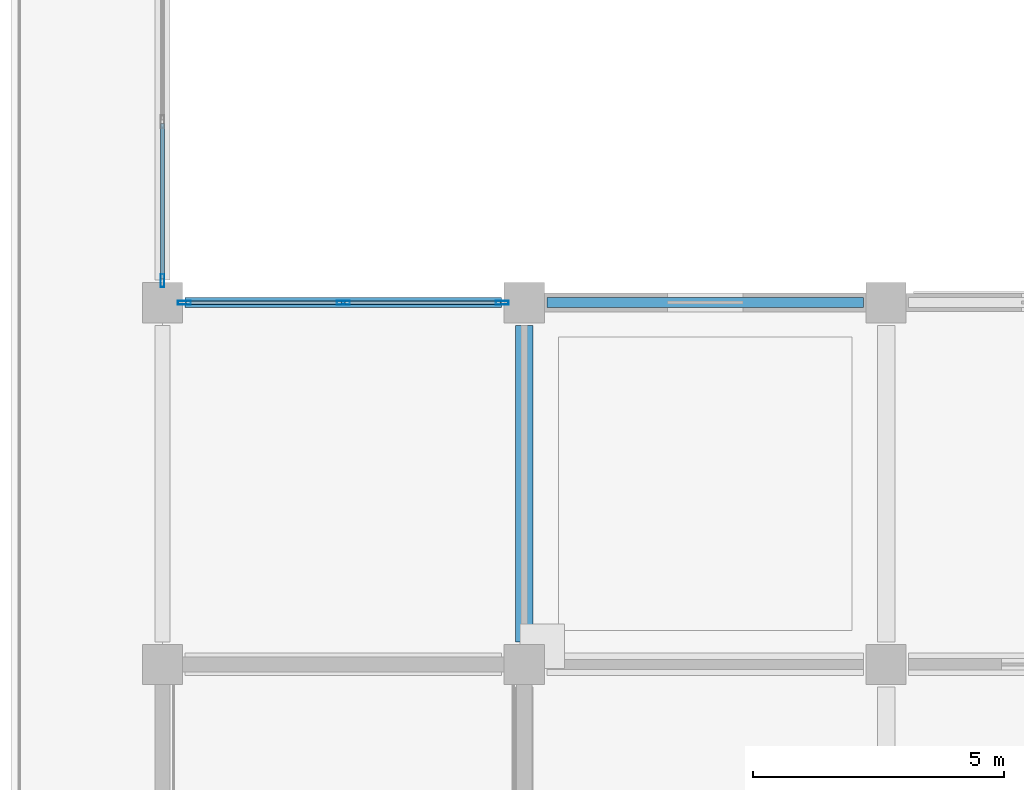
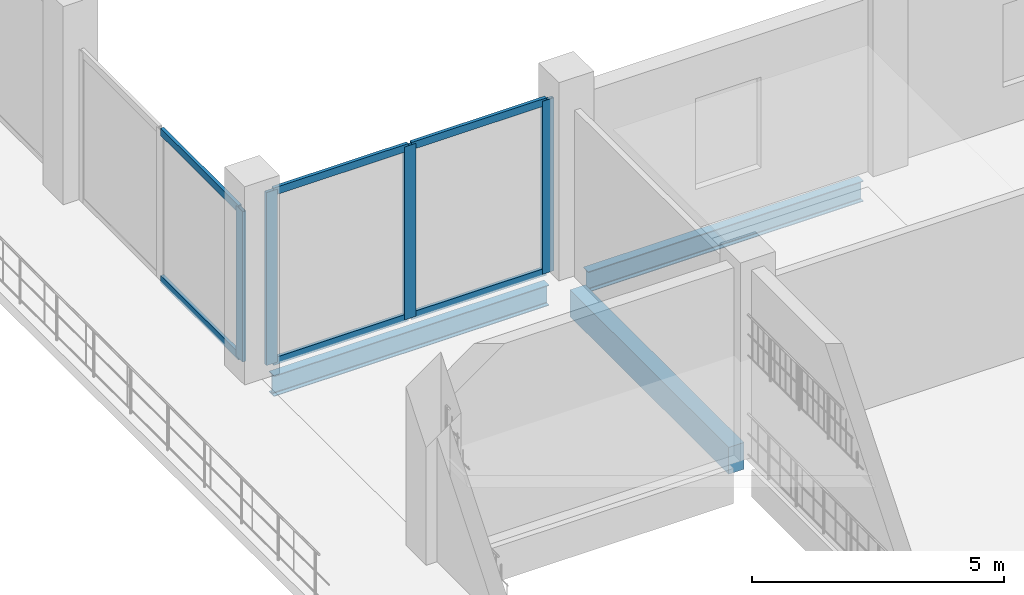
# One storey, part 20 of 99: 10 members, 3 beams, 2 elements without a shape of their own.
"""IFC4 building model written with IfcOpenShell, lengths in metres."""

import ifcopenshell
import ifcopenshell.guid

model = None  # the IFC model being written
_history = None  # IfcOwnerHistory: only IFC2X3 demands one
_inside = {}  # id of a spatial element -> (the spatial element, [elements in it])
_under = {}  # id of a project, library or spatial element -> (it, [spatial elements below it])
_declared = {}  # id of a project -> (the project, [libraries it declares])
_typed = {}  # id of a type object -> (the type object, [elements of that type])
_made_of = {}  # id of a material, layer set ... -> (it, [elements and type objects made of it])


def new_model(schema):
    """Start an empty IFC model of exactly this schema.

    Asked for "IFC4X3", IfcOpenShell would pick the latest addendum, in which some entities
    have other attributes; the version numbers below select the first issue.
    IFC2X3 requires an IfcOwnerHistory on every rooted entity: one is made here for all.
    """
    global model, _history
    if schema == "IFC4X3":
        model = ifcopenshell.file(schema_version=(4, 3, 0, 0))
    else:
        model = ifcopenshell.file(schema=schema)
    _inside.clear()
    _under.clear()
    _declared.clear()
    _typed.clear()
    _made_of.clear()
    _history = None
    if model.schema == "IFC2X3":
        org = make("IfcOrganization", Name="unknown")
        user = make(
            "IfcPersonAndOrganization",
            ThePerson=make("IfcPerson", FamilyName="unknown"),
            TheOrganization=org,
        )
        app = make(
            "IfcApplication",
            ApplicationDeveloper=org,
            Version="unknown",
            ApplicationFullName="unknown",
            ApplicationIdentifier="unknown",
        )
        _history = make(
            "IfcOwnerHistory",
            OwningUser=user,
            OwningApplication=app,
            ChangeAction="ADDED",
            CreationDate=0,
        )
    return model


def make(cls, **values):
    """One entity of the class cls with the attributes given. An attribute that is None is left unset."""
    return model.create_entity(
        cls, **{name: value for name, value in values.items() if value is not None}
    )


def rooted(cls, **values):
    """An entity with a GlobalId (a new one), such as an element, a storey or a relation."""
    return make(cls, GlobalId=ifcopenshell.guid.new(), OwnerHistory=_history, **values)


def si_unit(unit_type, name, prefix=None):
    """IfcSIUnit, for example si_unit("LENGTHUNIT", "METRE", prefix="MILLI")."""
    return make("IfcSIUnit", UnitType=unit_type, Prefix=prefix, Name=name)


def assignment(units):
    """IfcUnitAssignment: the units of a project."""
    return None if units is None else make("IfcUnitAssignment", Units=units)


def point(xyz):
    """IfcCartesianPoint."""
    return None if xyz is None else make("IfcCartesianPoint", Coordinates=xyz)


def direction(xyz):
    """IfcDirection."""
    return None if xyz is None else make("IfcDirection", DirectionRatios=xyz)


def frame(location, z_axis=None, x_axis=None):
    """IfcAxis2Placement3D, a coordinate frame: its origin and axes. An axis left out is left unset."""
    return make(
        "IfcAxis2Placement3D",
        Location=point(location),
        Axis=direction(z_axis),
        RefDirection=direction(x_axis),
    )


def frame_2d(location, x_axis=None):
    """IfcAxis2Placement2D, a coordinate frame in the plane: its origin and x axis."""
    return make(
        "IfcAxis2Placement2D", Location=point(location), RefDirection=direction(x_axis)
    )


def origin():
    """The frame at (0, 0, 0) with its axes left unset."""
    return frame((0.0, 0.0, 0.0))


def origin_2d():
    """The frame at (0, 0) in the plane with its x axis left unset."""
    return frame_2d((0.0, 0.0))


def place(relative_to, where):
    """IfcLocalPlacement: puts the frame where relative to a parent placement (None: the world)."""
    return make(
        "IfcLocalPlacement", PlacementRelTo=relative_to, RelativePlacement=where
    )


def context(
    kind, dimensions, precision=None, world=None, true_north=None, identifier=None
):
    """IfcGeometricRepresentationContext, for example the 3D "Model" context."""
    return make(
        "IfcGeometricRepresentationContext",
        ContextIdentifier=identifier,
        ContextType=kind,
        CoordinateSpaceDimension=dimensions,
        Precision=precision,
        WorldCoordinateSystem=world,
        TrueNorth=true_north,
    )


def subcontext(parent, identifier, kind, view, scale=None):
    """IfcGeometricRepresentationSubContext, for example "Body" below "Model"."""
    return make(
        "IfcGeometricRepresentationSubContext",
        ContextIdentifier=identifier,
        ContextType=kind,
        ParentContext=parent,
        TargetScale=scale,
        TargetView=view,
    )


def project(units=None, contexts=None):
    """IfcProject with its units and contexts."""
    return rooted(
        "IfcProject",
        Name="project",
        RepresentationContexts=contexts,
        UnitsInContext=assignment(units),
    )


def spatial(cls, under=None, at=None, **own):
    """A site, building, storey or space (cls), placed at a placement, below another one or the project."""
    s = rooted(cls, ObjectPlacement=at, **own)
    if under is not None:
        _under.setdefault(under.id(), (under, []))[1].append(s)
    return s


def profile(cls, at=None, kind="AREA", **sizes):
    """A parametric profile (cls). Its sizes go by their IFC names, for example OverallWidth=200.0."""
    return make(cls, ProfileType=kind, Position=at, **sizes)


def rectangle(**sizes):
    """IfcRectangleProfileDef."""
    return profile("IfcRectangleProfileDef", **sizes)


def hollow_rectangle(**sizes):
    """IfcRectangleHollowProfileDef."""
    return profile("IfcRectangleHollowProfileDef", **sizes)


def i_section(**sizes):
    """IfcIShapeProfileDef."""
    return profile("IfcIShapeProfileDef", **sizes)


def extrude(swept, where, along, depth):
    """IfcExtrudedAreaSolid: the profile swept, set in the frame where, extruded along a direction by depth."""
    return make(
        "IfcExtrudedAreaSolid",
        SweptArea=swept,
        Position=where,
        ExtrudedDirection=direction(along),
        Depth=depth,
    )


def shape(context_of_items, identifier, shape_type, items):
    """IfcShapeRepresentation: the items that make up one representation, for example the "Body"."""
    return make(
        "IfcShapeRepresentation",
        ContextOfItems=context_of_items,
        RepresentationIdentifier=identifier,
        RepresentationType=shape_type,
        Items=items,
    )


def material(Name=None, Category=None):
    """IfcMaterial."""
    return make("IfcMaterial", Name=Name, Category=Category)


def material_profile(
    of_material, cross_section, Name=None, Category=None, Priority=None
):
    """IfcMaterialProfile: a cross section and its material."""
    return make(
        "IfcMaterialProfile",
        Name=Name,
        Material=of_material,
        Profile=cross_section,
        Priority=Priority,
        Category=Category,
    )


def profile_set(profiles, Name=None, composite=None):
    """IfcMaterialProfileSet."""
    return make(
        "IfcMaterialProfileSet",
        Name=Name,
        MaterialProfiles=profiles,
        CompositeProfile=composite,
    )


def made_of(thing, what):
    """Note that an element or type object is made of a material, layer set ...; save() writes the relation."""
    if what is not None:
        _made_of.setdefault(what.id(), (what, []))[1].append(thing)
    return thing


def type_object(cls, material=None, **own):
    """A type object (cls), such as IfcWallType, which elements share."""
    return made_of(rooted(cls, **own), material)


def element(
    cls,
    number,
    at=None,
    inside=None,
    cuts=None,
    type_object=None,
    material=None,
    context=None,
    identifier="Body",
    shape_type=None,
    held_by="IfcProductDefinitionShape",
    body=None,
    shapes=None,
    **own,
):
    """One element of the class cls, such as IfcWall. Its Tag is "e" and its number.

    at: its placement. inside: the storey or other place that contains it. cuts: it is an
    opening in that element (IfcRelVoidsElement). A single representation is given by context,
    identifier, shape_type and body (its items); several are given by shapes. held_by: the class
    of the entity that holds the representations. save() writes the other relations.
    """
    e = rooted(cls, Tag="e%d" % number, ObjectPlacement=at, **own)
    if body is not None:
        shapes = [shape(context, identifier, shape_type, body)]
    if shapes is not None:
        e.Representation = make(held_by, Representations=shapes)
    if inside is not None:
        _inside.setdefault(inside.id(), (inside, []))[1].append(e)
    if cuts is not None:
        rooted(
            "IfcRelVoidsElement", RelatingBuildingElement=cuts, RelatedOpeningElement=e
        )
    if type_object is not None:
        _typed.setdefault(type_object.id(), (type_object, []))[1].append(e)
    return made_of(e, material)


def aggregate(whole, parts):
    """IfcRelAggregates: a whole, such as a stair, and the parts it consists of."""
    return rooted("IfcRelAggregates", RelatingObject=whole, RelatedObjects=parts)


def save(model, path):
    """Write the relations noted so far, then the file.

    IfcRelAggregates (storeys below a building ...), IfcRelContainedInSpatialStructure (elements
    in a storey), IfcRelDefinesByType, IfcRelAssociatesMaterial and IfcRelDeclares: one each for
    every whole, place, type object, material and project.
    """
    for whole, parts in _under.values():
        aggregate(whole, parts)
    for where, things in _inside.values():
        rooted(
            "IfcRelContainedInSpatialStructure",
            RelatedElements=things,
            RelatingStructure=where,
        )
    for kind, things in _typed.values():
        rooted("IfcRelDefinesByType", RelatedObjects=things, RelatingType=kind)
    for what, things in _made_of.values():
        rooted("IfcRelAssociatesMaterial", RelatedObjects=things, RelatingMaterial=what)
    for by, libraries in _declared.values():
        rooted("IfcRelDeclares", RelatingContext=by, RelatedDefinitions=libraries)
    model.write(path)


model = new_model("IFC4")

# Units and contexts
model_context = context("Model", 3, precision=1e-05, world=origin(), true_north=direction((0.0, 1.0)))
body_context = subcontext(model_context, "Body", "Model", "MODEL_VIEW")
ifc_project = project(units=[si_unit("LENGTHUNIT", "METRE"), si_unit("AREAUNIT", "SQUARE_METRE"), si_unit("VOLUMEUNIT", "CUBIC_METRE"), si_unit("PLANEANGLEUNIT", "RADIAN"), si_unit("MASSUNIT", "GRAM", prefix="KILO")], contexts=[model_context])

# Site, building, storey
site_placement = place(None, origin())
site = spatial("IfcSite", under=ifc_project, at=site_placement, CompositionType="ELEMENT")
building_placement = place(site_placement, origin())
building = spatial("IfcBuilding", under=site, at=building_placement, Name="Vesperath Aquatics Centre", CompositionType="ELEMENT")
storey_placement = place(building_placement, frame((0.0, 0.0, 5.39990234375)))
storey = spatial("IfcBuildingStorey", under=building, at=storey_placement, Name="L01", CompositionType="ELEMENT", Elevation=5.39990234375)

# Beams
ifc_material_1 = material(Name="Concrete C35", Category="concrete")
ifc_material_profile_1 = material_profile(ifc_material_1, rectangle(XDim=0.35009765625, YDim=0.64990234375, at=origin_2d()), Name="RC 350x650")
ifc_profile_set_1 = profile_set([ifc_material_profile_1], Name="Concrete C35")
beam_type_1 = type_object("IfcBeamType", Name="BM-G05", PredefinedType="BEAM", material=ifc_profile_set_1)
beam_1_placement = place(storey_placement, frame((122.39990234375, 36.449951171875, -0.5849609375), z_axis=(0.0, 1.0, 0.0), x_axis=(-1.0, 0.0, 0.0)))
element("IfcBeam", 1, at=beam_1_placement, inside=storey, type_object=beam_type_1, Name="Floor Girder B05 L01 18 F-G", PredefinedType="BEAM", context=body_context, shape_type="SweptSolid", body=[
    extrude(rectangle(XDim=0.35009765625, YDim=0.64990234375, at=origin_2d()), origin(), (0.0, 0.0, 1.0), 6.300048828125),
])
ifc_material_2 = material(Name="Steel Q355D", Category="steel")
ifc_material_profile_2 = material_profile(ifc_material_2, i_section(OverallWidth=0.199951171875, OverallDepth=0.5, WebThickness=0.010009765625, FlangeThickness=0.01611328125, FilletRadius=0.02001953125, at=origin_2d()), Name="HN 500x200x10x16")
ifc_profile_set_2 = profile_set([ifc_material_profile_2], Name="Steel Q355D")
beam_type_2 = type_object("IfcBeamType", Name="BM-SP01", PredefinedType="SPANDREL", material=ifc_profile_set_2)
beam_2_placement = place(storey_placement, frame((115.64990234375, 43.199951171875, -0.510009765625), z_axis=(1.0, 0.0, 0.0), x_axis=(0.0, 1.0, 0.0)))
element("IfcBeam", 2, at=beam_2_placement, inside=storey, type_object=beam_type_2, Name="Floor Girder SP01 L01 G 17-18", PredefinedType="SPANDREL", context=body_context, shape_type="SweptSolid", body=[
    extrude(i_section(OverallWidth=0.199951171875, OverallDepth=0.5, WebThickness=0.010009765625, FlangeThickness=0.01611328125, FilletRadius=0.02001953125, at=origin_2d()), origin(), (0.0, 0.0, 1.0), 6.300048828125),
])
beam_3_placement = place(storey_placement, frame((122.85009765625, 43.199951171875, -0.510009765625), z_axis=(1.0, 0.0, 0.0), x_axis=(0.0, 1.0, 0.0)))
element("IfcBeam", 3, at=beam_3_placement, inside=storey, type_object=beam_type_2, Name="Floor Girder SP01 L01 G 18-19", PredefinedType="SPANDREL", context=body_context, shape_type="SweptSolid", body=[
    extrude(i_section(OverallWidth=0.199951171875, OverallDepth=0.5, WebThickness=0.010009765625, FlangeThickness=0.01611328125, FilletRadius=0.02001953125, at=origin_2d()), origin(), (0.0, 0.0, 1.0), 6.2998046875),
])

# Curtain wall, members
ifc_material_3 = material(Name="Thermally broken anodised bronze aluminium curtain wall", Category="aluminium")
curtain_wall_type_1 = type_object("IfcCurtainWallType", Name="CW-06", PredefinedType="NOTDEFINED", material=ifc_material_3)
curtain_wall_1_placement = place(storey_placement, origin())
curtain_wall_1 = element("IfcCurtainWall", 4, at=curtain_wall_1_placement, inside=storey, type_object=curtain_wall_type_1, Name="Facade Curtain Wall CW06 L01_N_16_06", PredefinedType="NOTDEFINED")
ifc_material_4 = material(Name="Thermally broken anodised aluminium", Category="aluminium")
ifc_material_profile_3 = material_profile(ifc_material_4, hollow_rectangle(XDim=0.074951171875, YDim=0.260009765625, WallThickness=0.006103515625, at=origin_2d()), Name="CWM 75x260x6")
ifc_profile_set_3 = profile_set([ifc_material_profile_3], Name="Thermally broken anodised aluminium")
member_type_1 = type_object("IfcMemberType", Name="MB-CWM1", PredefinedType="MULLION", material=ifc_profile_set_3)
member_1_placement = place(storey_placement, frame((115.637451171875, 43.199951171875, 0.0), z_axis=(0.0, 0.0, 1.0), x_axis=(0.0, 1.0, 0.0)))
member_1 = element("IfcMember", 5, at=member_1_placement, type_object=member_type_1, Name="CW06 mullion 1", PredefinedType="MULLION", context=body_context, shape_type="SweptSolid", body=[
    extrude(hollow_rectangle(XDim=0.074951171875, YDim=0.260009765625, WallThickness=0.006103515625, at=origin_2d()), origin(), (0.0, 0.0, 1.0), 4.190185546875),
])
member_2_placement = place(storey_placement, frame((118.800048828125, 43.199951171875, 0.0), z_axis=(0.0, 0.0, 1.0), x_axis=(0.0, 1.0, 0.0)))
member_2 = element("IfcMember", 6, at=member_2_placement, type_object=member_type_1, Name="CW06 mullion 2", PredefinedType="MULLION", context=body_context, shape_type="SweptSolid", body=[
    extrude(hollow_rectangle(XDim=0.074951171875, YDim=0.260009765625, WallThickness=0.006103515625, at=origin_2d()), origin(), (0.0, 0.0, 1.0), 4.190185546875),
])
member_3_placement = place(storey_placement, frame((121.96240234375, 43.199951171875, 0.0), z_axis=(0.0, 0.0, 1.0), x_axis=(0.0, 1.0, 0.0)))
member_3 = element("IfcMember", 7, at=member_3_placement, type_object=member_type_1, Name="CW06 mullion 3", PredefinedType="MULLION", context=body_context, shape_type="SweptSolid", body=[
    extrude(hollow_rectangle(XDim=0.074951171875, YDim=0.260009765625, WallThickness=0.006103515625, at=origin_2d()), origin(), (0.0, 0.0, 1.0), 4.190185546875),
])

# Curtain wall, member
curtain_wall_type_2 = type_object("IfcCurtainWallType", Name="CW-02", PredefinedType="NOTDEFINED", material=ifc_material_3)
curtain_wall_2_placement = place(storey_placement, origin())
curtain_wall_2 = element("IfcCurtainWall", 8, at=curtain_wall_2_placement, inside=storey, type_object=curtain_wall_type_2, Name="Facade Curtain Wall CW02 L01_E_16_06", PredefinedType="NOTDEFINED")
member_4_placement = place(storey_placement, frame((115.199951171875, 43.637451171875, 0.0), z_axis=(0.0, 0.0, 1.0), x_axis=(-1.0, 0.0, 0.0)))
member_4 = element("IfcMember", 9, at=member_4_placement, type_object=member_type_1, Name="CW02 mullion 1", PredefinedType="MULLION", context=body_context, shape_type="SweptSolid", body=[
    extrude(hollow_rectangle(XDim=0.074951171875, YDim=0.260009765625, WallThickness=0.006103515625, at=origin_2d()), origin(), (0.0, 0.0, 1.0), 3.64013671875),
])

# Member
ifc_material_profile_4 = material_profile(ifc_material_4, hollow_rectangle(XDim=0.074951171875, YDim=0.179931640625, WallThickness=0.0048828125, at=origin_2d()), Name="CWT 75x180x5")
ifc_profile_set_4 = profile_set([ifc_material_profile_4], Name="Thermally broken anodised aluminium")
member_type_2 = type_object("IfcMemberType", Name="MB-CWT1", PredefinedType="USERDEFINED", material=ifc_profile_set_4)
member_5_placement = place(storey_placement, frame((115.675048828125, 43.199951171875, 0.03759765625), z_axis=(1.0, 0.0, 0.0), x_axis=(0.0, 1.0, 0.0)))
member_5 = element("IfcMember", 10, at=member_5_placement, type_object=member_type_2, Name="CW06 transom 1.1", ObjectType="TRANSOM", PredefinedType="USERDEFINED", context=body_context, shape_type="SweptSolid", body=[
    extrude(hollow_rectangle(XDim=0.074951171875, YDim=0.179931640625, WallThickness=0.0048828125, at=origin_2d()), origin(), (0.0, 0.0, 1.0), 3.08740234375),
])

member_6_placement = place(storey_placement, frame((115.675048828125, 43.199951171875, 4.152587890625), z_axis=(1.0, 0.0, 0.0), x_axis=(0.0, 1.0, 0.0)))
member_6 = element("IfcMember", 11, at=member_6_placement, type_object=member_type_2, Name="CW06 transom 1.2", ObjectType="TRANSOM", PredefinedType="USERDEFINED", context=body_context, shape_type="SweptSolid", body=[
    extrude(hollow_rectangle(XDim=0.074951171875, YDim=0.179931640625, WallThickness=0.0048828125, at=origin_2d()), origin(), (0.0, 0.0, 1.0), 3.08740234375),
])

member_7_placement = place(storey_placement, frame((118.83740234375, 43.199951171875, 0.03759765625), z_axis=(1.0, 0.0, 0.0), x_axis=(0.0, 1.0, 0.0)))
member_7 = element("IfcMember", 12, at=member_7_placement, type_object=member_type_2, Name="CW06 transom 2.1", ObjectType="TRANSOM", PredefinedType="USERDEFINED", context=body_context, shape_type="SweptSolid", body=[
    extrude(hollow_rectangle(XDim=0.074951171875, YDim=0.179931640625, WallThickness=0.0048828125, at=origin_2d()), origin(), (0.0, 0.0, 1.0), 3.087646484375),
])

member_8_placement = place(storey_placement, frame((118.83740234375, 43.199951171875, 4.152587890625), z_axis=(1.0, 0.0, 0.0), x_axis=(0.0, 1.0, 0.0)))
member_8 = element("IfcMember", 13, at=member_8_placement, type_object=member_type_2, Name="CW06 transom 2.2", ObjectType="TRANSOM", PredefinedType="USERDEFINED", context=body_context, shape_type="SweptSolid", body=[
    extrude(hollow_rectangle(XDim=0.074951171875, YDim=0.179931640625, WallThickness=0.0048828125, at=origin_2d()), origin(), (0.0, 0.0, 1.0), 3.087646484375),
])

aggregate(curtain_wall_1, [member_1, member_2, member_3, member_5, member_6, member_7, member_8])

member_9_placement = place(storey_placement, frame((115.199951171875, 43.675048828125, 0.03759765625), z_axis=(0.0, 1.0, 0.0), x_axis=(-1.0, 0.0, 0.0)))
member_9 = element("IfcMember", 14, at=member_9_placement, type_object=member_type_2, Name="CW02 transom 1.1", ObjectType="TRANSOM", PredefinedType="USERDEFINED", context=body_context, shape_type="SweptSolid", body=[
    extrude(hollow_rectangle(XDim=0.074951171875, YDim=0.179931640625, WallThickness=0.0048828125, at=origin_2d()), origin(), (0.0, 0.0, 1.0), 3.08740234375),
])

member_10_placement = place(storey_placement, frame((115.199951171875, 43.675048828125, 3.6025390625), z_axis=(0.0, 1.0, 0.0), x_axis=(-1.0, 0.0, 0.0)))
member_10 = element("IfcMember", 15, at=member_10_placement, type_object=member_type_2, Name="CW02 transom 1.2", ObjectType="TRANSOM", PredefinedType="USERDEFINED", context=body_context, shape_type="SweptSolid", body=[
    extrude(hollow_rectangle(XDim=0.074951171875, YDim=0.179931640625, WallThickness=0.0048828125, at=origin_2d()), origin(), (0.0, 0.0, 1.0), 3.08740234375),
])

aggregate(curtain_wall_2, [member_4, member_9, member_10])

save(model, "model.ifc")
